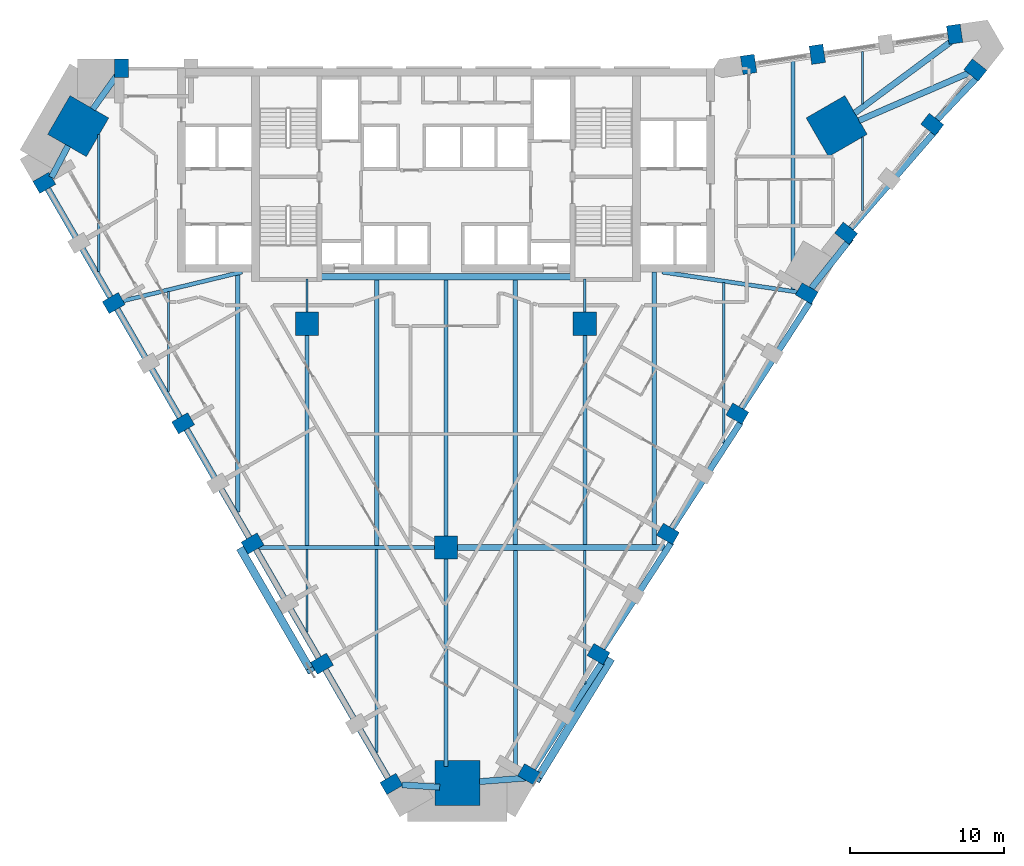
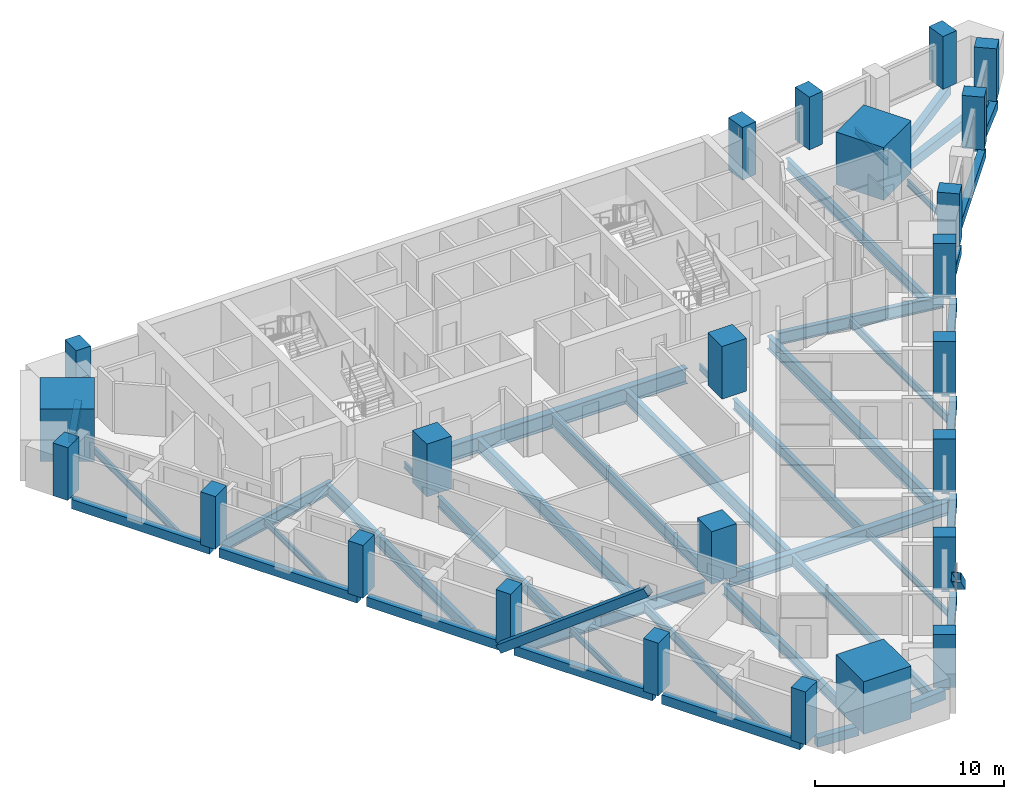
# One storey, part 1 of 11: 43 beams, 24 columns, 2 members.
"""IFC4 building model written with IfcOpenShell, lengths in metres."""

from ifc_helpers import new_model, si_unit, direction, frame, origin, origin_2d, place, context, subcontext, project, spatial, rectangle, hollow_rectangle, i_section, extrude, material, material_profile, profile_set, type_object, element, save


model = new_model("IFC4")

# Units and contexts
model_context = context("Model", 3, precision=1e-05, world=origin(), true_north=direction((0.0, 1.0)))
body_context = subcontext(model_context, "Body", "Model", "MODEL_VIEW")
ifc_project = project(units=[si_unit("LENGTHUNIT", "METRE"), si_unit("AREAUNIT", "SQUARE_METRE"), si_unit("VOLUMEUNIT", "CUBIC_METRE"), si_unit("PLANEANGLEUNIT", "RADIAN"), si_unit("MASSUNIT", "GRAM", prefix="KILO")], contexts=[model_context])

# Site, building, storey
site_placement = place(None, origin())
site = spatial("IfcSite", under=ifc_project, at=site_placement, CompositionType="ELEMENT")
building_placement = place(site_placement, origin())
building = spatial("IfcBuilding", under=site, at=building_placement, Name="Calabash Gate Tower", CompositionType="ELEMENT")
storey_placement = place(building_placement, frame((0.0, 0.0, 112.199951171875)))
storey = spatial("IfcBuildingStorey", under=building, at=storey_placement, Name="L25", CompositionType="ELEMENT", Elevation=112.199951171875)

# Columns
ifc_material_1 = material(Name="Concrete C80/95", Category="concrete")
ifc_material_profile_1 = material_profile(ifc_material_1, rectangle(XDim=1.5, YDim=1.5, at=origin_2d()))
ifc_profile_set_1 = profile_set([ifc_material_profile_1], Name="Concrete C80/95")
column_type_1 = type_object("IfcColumnType", Name="Interior column RC 1500x1500 Concrete C80/95", PredefinedType="COLUMN", material=ifc_profile_set_1)
for number, where, z_axis, x_axis, name in (
    (1, (-9.0, 2.5, 0.0), (0.0, 0.0, 1.0), (1.0, 0.0, 0.0), "Interior column L25 I0"),
    (2, (9.0, 2.5, 0.0), (0.0, 0.0, 1.0), (1.0, 0.0, 0.0), "Interior column L25 I1"),
    (3, (0.0, -12.0, 0.0), (0.0, 0.0, 1.0), (1.0, 0.0, 0.0), "Interior column L25 I2"),
):
    element("IfcColumn", number, at=place(storey_placement, frame(where, z_axis=z_axis, x_axis=x_axis)), inside=storey, type_object=column_type_1, Name=name, PredefinedType="COLUMN", context=body_context, shape_type="SweptSolid", body=[
        extrude(rectangle(XDim=1.5, YDim=1.5, at=origin_2d()), origin(), (0.0, 0.0, 1.0), 3.400146484375),
    ])
ifc_material_2 = material(Name="Concrete C80/95", Category="concrete")
ifc_material_profile_2 = material_profile(ifc_material_2, rectangle(XDim=2.89990234375, YDim=2.89990234375, at=origin_2d()))
ifc_profile_set_2 = profile_set([ifc_material_profile_2], Name="Concrete C80/95")
column_type_2 = type_object("IfcColumnType", Name="Mega column RC 2900x2900 Concrete C80/95", PredefinedType="COLUMN", material=ifc_profile_set_2)
for number, where, z_axis, x_axis, name in (
    (4, (-23.843017578125, 15.31298828125, 0.0), (0.0, 0.0, 1.0), (0.866025377604, -0.500000045345, 0.0), "Mega column L25 NW"),
    (5, (25.3291015625, 15.31298828125, 0.0), (0.0, 0.0, 1.0), (-0.866025377604, -0.500000045345, 0.0), "Mega column L25 NE"),
    (6, (0.742919921875, -27.27197265625, 0.0), (0.0, 0.0, 1.0), (0.0, 1.0, 0.0), "Mega column L25 S"),
):
    element("IfcColumn", number, at=place(storey_placement, frame(where, z_axis=z_axis, x_axis=x_axis)), inside=storey, type_object=column_type_2, Name=name, PredefinedType="COLUMN", context=body_context, shape_type="SweptSolid", body=[
        extrude(rectangle(XDim=2.89990234375, YDim=2.89990234375, at=origin_2d()), origin(), (0.0, 0.0, 1.0), 3.400146484375),
    ])
ifc_material_3 = material(Name="Concrete C70/85", Category="concrete")
ifc_material_profile_3 = material_profile(ifc_material_3, rectangle(XDim=0.89990234375, YDim=1.199951171875, at=origin_2d()))
ifc_profile_set_3 = profile_set([ifc_material_profile_3], Name="Concrete C70/85")
column_type_3 = type_object("IfcColumnType", Name="Perimeter column RC 900x1200 Concrete C70/85", PredefinedType="COLUMN", material=ifc_profile_set_3)
for number, where, z_axis, x_axis, name in (
    (7, (-26.0390625, 11.635986328125, 0.0), (0.0, 0.0, 1.0), (0.5, -0.866025403784, 0.0), "Perimeter column L25 P20"),
    (8, (-21.5390625, 3.842041015625, 0.0), (0.0, 0.0, 1.0), (0.5, -0.866025403784, 0.0), "Perimeter column L25 P00"),
    (9, (-17.0390625, -3.951904296875, 0.0), (0.0, 0.0, 1.0), (0.5, -0.866025403784, 0.0), "Perimeter column L25 P01"),
    (10, (-12.5390625, -11.7470703125, 0.0), (0.0, 0.0, 1.0), (0.5, -0.866025403784, 0.0), "Perimeter column L25 P02"),
    (11, (-8.0390625, -19.541015625, 0.0), (0.0, 0.0, 1.0), (0.5, -0.866025403784, 0.0), "Perimeter column L25 P03"),
    (12, (-3.5390625, -27.3330078125, 0.0), (0.0, 0.0, 1.0), (0.5, -0.866025403784, 0.0), "Perimeter column L25 P05"),
    (13, (5.386962890625, -26.7080078125, 0.0), (0.0, 0.0, 1.0), (0.5, 0.866025403784, 0.0), "Perimeter column L25 P08"),
    (14, (9.886962890625, -18.9140625, 0.0), (0.0, 0.0, 1.0), (0.5, 0.866025403784, 0.0), "Perimeter column L25 P09"),
    (15, (14.386962890625, -11.118896484375, 0.0), (0.0, 0.0, 1.0), (0.5, 0.866025403784, 0.0), "Perimeter column L25 P10"),
    (16, (18.886962890625, -3.322998046875, 0.0), (0.0, 0.0, 1.0), (0.5, 0.866025403784, 0.0), "Perimeter column L25 P11"),
    (17, (23.386962890625, 4.468994140625, 0.0), (0.0, 0.0, 1.0), (0.5, 0.866025403784, 0.0), "Perimeter column L25 P12"),
    (18, (25.943115234375, 8.366943359375, 0.0), (0.0, 0.0, 1.0), (0.620301172202, 0.784363726701, 0.0), "Perimeter column L25 P13"),
    (19, (31.52587890625, 15.424072265625, 0.0), (0.0, 0.0, 1.0), (0.620301172202, 0.784363726701, 0.0), "Perimeter column L25 P21"),
    (20, (34.31689453125, 18.9541015625, 0.0), (0.0, 0.0, 1.0), (0.620301172202, 0.784363726701, 0.0), "Perimeter column L25 P22"),
    (21, (32.97607421875, 21.27587890625, 0.0), (0.0, 0.0, 1.0), (-0.989429504293, -0.145014675236, 0.0), "Perimeter column L25 P23"),
    (22, (24.072021484375, 19.970947265625, 0.0), (0.0, 0.0, 1.0), (-0.989429504293, -0.145014675236, 0.0), "Perimeter column L25 P16"),
    (23, (19.618896484375, 19.318115234375, 0.0), (0.0, 0.0, 1.0), (-0.989429504293, -0.145014675236, 0.0), "Perimeter column L25 P24"),
    (24, (-21.032958984375, 19.052978515625, 0.0), (0.0, 0.0, 1.0), (-1.0, 0.0, 0.0), "Perimeter column L25 P17"),
):
    element("IfcColumn", number, at=place(storey_placement, frame(where, z_axis=z_axis, x_axis=x_axis)), inside=storey, type_object=column_type_3, Name=name, PredefinedType="COLUMN", context=body_context, shape_type="SweptSolid", body=[
        extrude(rectangle(XDim=0.89990234375, YDim=1.199951171875, at=origin_2d()), origin(), (0.0, 0.0, 1.0), 3.400146484375),
    ])

# Beams
ifc_material_4 = material(Name="Concrete C60/75", Category="concrete")
ifc_material_profile_4 = material_profile(ifc_material_4, rectangle(XDim=0.39990234375, YDim=0.60009765625, at=origin_2d()))
ifc_profile_set_4 = profile_set([ifc_material_profile_4], Name="Concrete C60/75")
beam_type_1 = type_object("IfcBeamType", Name="Edge beam RC 400x600 Concrete C60/75", PredefinedType="BEAM", material=ifc_profile_set_4)
for number, where, z_axis, x_axis, name in (
    (25, (-16.821044921875, -4.330078125, -0.469970703125), (0.500025102917, -0.866010910123, 0.0), (0.866010910123, 0.500025102917, 0.0), "Edge beam L25 1"),
    (26, (-12.321044921875, -12.1240234375, -0.469970703125), (0.500025102917, -0.866010910123, 0.0), (0.866010910123, 0.500025102917, 0.0), "Edge beam L25 2"),
):
    element("IfcBeam", number, at=place(storey_placement, frame(where, z_axis=z_axis, x_axis=x_axis)), inside=storey, type_object=beam_type_1, Name=name, PredefinedType="BEAM", context=body_context, shape_type="SweptSolid", body=[
        extrude(rectangle(XDim=0.39990234375, YDim=0.60009765625, at=origin_2d()), origin(), (0.0, 0.0, 1.0), 8.42578125),
    ])
beam_1_placement = place(storey_placement, frame((-7.821044921875, -19.9189453125, -0.469970703125), z_axis=(0.500012556128, -0.866018154379, 0.0), x_axis=(0.866018154379, 0.500012556128, 0.0)))
element("IfcBeam", 27, at=beam_1_placement, inside=storey, type_object=beam_type_1, Name="Edge beam L25 3", PredefinedType="BEAM", context=body_context, shape_type="SweptSolid", body=[
    extrude(rectangle(XDim=0.39990234375, YDim=0.60009765625, at=origin_2d()), origin(), (0.0, 0.0, 1.0), 8.426025390625),
])
beam_2_placement = place(storey_placement, frame((-2.843017578125, -27.39111328125, -0.469970703125), z_axis=(0.998064232576, -0.062191540038, 0.0), x_axis=(0.062191540038, 0.998064232576, 0.0)))
element("IfcBeam", 28, at=beam_2_placement, inside=storey, type_object=beam_type_1, Name="Edge beam L25 4", PredefinedType="BEAM", context=body_context, shape_type="SweptSolid", body=[
    extrude(rectangle(XDim=0.39990234375, YDim=0.60009765625, at=origin_2d()), origin(), (0.0, 0.0, 1.0), 2.441650390625),
])
beam_3_placement = place(storey_placement, frame((2.177001953125, -27.181884765625, -0.469970703125), z_axis=(0.997030596331, 0.077006428172, 0.0), x_axis=(-0.077006428172, 0.997030596331, 0.0)))
element("IfcBeam", 29, at=beam_3_placement, inside=storey, type_object=beam_type_1, Name="Edge beam L25 5", PredefinedType="BEAM", context=body_context, shape_type="SweptSolid", body=[
    extrude(rectangle(XDim=0.39990234375, YDim=0.60009765625, at=origin_2d()), origin(), (0.0, 0.0, 1.0), 3.011962890625),
])
for number, where, z_axis, x_axis, name in (
    (30, (5.64697265625, -26.35595703125, -0.469970703125), (0.543627394435, 0.839326668241, 0.0), (-0.839326668241, 0.543627394435, 0.0), "Edge beam L25 6"),
    (31, (10.14697265625, -18.56201171875, -0.469970703125), (0.543627394435, 0.839326668241, 0.0), (-0.839326668241, 0.543627394435, 0.0), "Edge beam L25 7"),
):
    element("IfcBeam", number, at=place(storey_placement, frame(where, z_axis=z_axis, x_axis=x_axis)), inside=storey, type_object=beam_type_1, Name=name, PredefinedType="BEAM", context=body_context, shape_type="SweptSolid", body=[
        extrude(rectangle(XDim=0.39990234375, YDim=0.60009765625, at=origin_2d()), origin(), (0.0, 0.0, 1.0), 8.207763671875),
    ])
for number, where, z_axis, x_axis, name in (
    (32, (14.64697265625, -10.76806640625, -0.469970703125), (0.543559539771, 0.83937061345, 0.0), (-0.83937061345, 0.543559539771, 0.0), "Edge beam L25 8"),
    (33, (19.14697265625, -2.97412109375, -0.469970703125), (0.543559539771, 0.83937061345, 0.0), (-0.83937061345, 0.543559539771, 0.0), "Edge beam L25 9"),
):
    element("IfcBeam", number, at=place(storey_placement, frame(where, z_axis=z_axis, x_axis=x_axis)), inside=storey, type_object=beam_type_1, Name=name, PredefinedType="BEAM", context=body_context, shape_type="SweptSolid", body=[
        extrude(rectangle(XDim=0.39990234375, YDim=0.60009765625, at=origin_2d()), origin(), (0.0, 0.0, 1.0), 8.208740234375),
    ])
beam_4_placement = place(storey_placement, frame((23.681884765625, 4.800048828125, -0.469970703125), z_axis=(0.621757740303, 0.783209622242, 0.0), x_axis=(-0.783209622242, 0.621757740303, 0.0)))
element("IfcBeam", 34, at=beam_4_placement, inside=storey, type_object=beam_type_1, Name="Edge beam L25 10", PredefinedType="BEAM", context=body_context, shape_type="SweptSolid", body=[
    extrude(rectangle(XDim=0.39990234375, YDim=0.60009765625, at=origin_2d()), origin(), (0.0, 0.0, 1.0), 4.141845703125),
])
beam_5_placement = place(storey_placement, frame((26.237060546875, 8.66796875, -0.469970703125), z_axis=(0.654894622811, 0.755720208155, 0.0), x_axis=(-0.755720208155, 0.654894622811, 0.0)))
element("IfcBeam", 35, at=beam_5_placement, inside=storey, type_object=beam_type_1, Name="Edge beam L25 11", PredefinedType="BEAM", context=body_context, shape_type="SweptSolid", body=[
    extrude(rectangle(XDim=0.39990234375, YDim=0.60009765625, at=origin_2d()), origin(), (0.0, 0.0, 1.0), 8.540283203125),
])
beam_6_placement = place(storey_placement, frame((31.839111328125, 15.72412109375, -0.469970703125), z_axis=(0.685941332038, 0.727656848385, 0.0), x_axis=(-0.727656848385, 0.685941332038, 0.0)))
element("IfcBeam", 36, at=beam_6_placement, inside=storey, type_object=beam_type_1, Name="Edge beam L25 12", PredefinedType="BEAM", context=body_context, shape_type="SweptSolid", body=[
    extrude(rectangle(XDim=0.39990234375, YDim=0.60009765625, at=origin_2d()), origin(), (0.0, 0.0, 1.0), 4.026611328125),
])
beam_7_placement = place(storey_placement, frame((34.27392578125, 18.922119140625, -0.469970703125), z_axis=(-0.917731210619, -0.397201995282, 0.0), x_axis=(0.397201995282, -0.917731210619, 0.0)))
element("IfcBeam", 37, at=beam_7_placement, inside=storey, type_object=beam_type_1, Name="Edge beam L25 13", PredefinedType="BEAM", context=body_context, shape_type="SweptSolid", body=[
    extrude(rectangle(XDim=0.39990234375, YDim=0.60009765625, at=origin_2d()), origin(), (0.0, 0.0, 1.0), 8.1796875),
])
beam_8_placement = place(storey_placement, frame((26.489990234375, 16.153076171875, -0.469970703125), z_axis=(0.803084890755, 0.595864630802, 0.0), x_axis=(-0.595864630802, 0.803084890755, 0.0)))
element("IfcBeam", 38, at=beam_8_placement, inside=storey, type_object=beam_type_1, Name="Edge beam L25 14", PredefinedType="BEAM", context=body_context, shape_type="SweptSolid", body=[
    extrude(rectangle(XDim=0.39990234375, YDim=0.60009765625, at=origin_2d()), origin(), (0.0, 0.0, 1.0), 8.319091796875),
])
beam_9_placement = place(storey_placement, frame((-21.10302734375, 18.926025390625, -0.469970703125), z_axis=(-0.581312904664, -0.813680101066, 0.0), x_axis=(0.813680101066, -0.581312904664, 0.0)))
element("IfcBeam", 39, at=beam_9_placement, inside=storey, type_object=beam_type_1, Name="Edge beam L25 17", PredefinedType="BEAM", context=body_context, shape_type="SweptSolid", body=[
    extrude(rectangle(XDim=0.39990234375, YDim=0.60009765625, at=origin_2d()), origin(), (0.0, 0.0, 1.0), 3.091064453125),
])
beam_10_placement = place(storey_placement, frame((-24.5029296875, 14.0400390625, -0.469970703125), z_axis=(-0.465789865333, -0.88489536181, 0.0), x_axis=(0.88489536181, -0.465789865333, 0.0)))
element("IfcBeam", 40, at=beam_10_placement, inside=storey, type_object=beam_type_1, Name="Edge beam L25 18", PredefinedType="BEAM", context=body_context, shape_type="SweptSolid", body=[
    extrude(rectangle(XDim=0.39990234375, YDim=0.60009765625, at=origin_2d()), origin(), (0.0, 0.0, 1.0), 2.316650390625),
])
for number, where, z_axis, x_axis, name in (
    (41, (-25.821044921875, 11.258056640625, -0.469970703125), (0.500012556128, -0.866018154379, 0.0), (0.866018154379, 0.500012556128, 0.0), "Edge beam L25 19"),
    (42, (-21.321044921875, 3.464111328125, -0.469970703125), (0.500012556128, -0.866018154379, 0.0), (0.866018154379, 0.500012556128, 0.0), "Edge beam L25 20"),
):
    element("IfcBeam", number, at=place(storey_placement, frame(where, z_axis=z_axis, x_axis=x_axis)), inside=storey, type_object=beam_type_1, Name=name, PredefinedType="BEAM", context=body_context, shape_type="SweptSolid", body=[
        extrude(rectangle(XDim=0.39990234375, YDim=0.60009765625, at=origin_2d()), origin(), (0.0, 0.0, 1.0), 8.426025390625),
    ])
ifc_material_5 = material(Name="Steel ASTM A992 Gr50", Category="steel")
ifc_material_profile_5 = material_profile(ifc_material_5, i_section(OverallWidth=0.1396484375, OverallDepth=0.398681640625, WebThickness=0.00634765625, FlangeThickness=0.0087890625, FilletRadius=0.01025390625, at=origin_2d()))
ifc_profile_set_5 = profile_set([ifc_material_profile_5], Name="Steel ASTM A992 Gr50")
beam_type_2 = type_object("IfcBeamType", Name="Floor beam W16x26 ASTM A992 Gr50", PredefinedType="BEAM", material=ifc_profile_set_5)
beam_11_placement = place(storey_placement, frame((-18.0, -1.89990234375, -0.368896484375), z_axis=(0.0, 1.0, 0.0), x_axis=(-1.0, 0.0, 0.0)))
element("IfcBeam", 43, at=beam_11_placement, inside=storey, type_object=beam_type_2, Name="Floor beam L25 2", PredefinedType="BEAM", context=body_context, shape_type="SweptSolid", body=[
    extrude(i_section(OverallWidth=0.1396484375, OverallDepth=0.398681640625, WebThickness=0.00634765625, FlangeThickness=0.0087890625, FilletRadius=0.01025390625, at=origin_2d()), origin(), (0.0, 0.0, 1.0), 6.48388671875),
])
beam_12_placement = place(storey_placement, frame((-9.0, -17.488037109375, -0.368896484375), z_axis=(0.0, 1.0, 0.0), x_axis=(-1.0, 0.0, 0.0)))
element("IfcBeam", 44, at=beam_12_placement, inside=storey, type_object=beam_type_2, Name="Floor beam L25 4", PredefinedType="BEAM", context=body_context, shape_type="SweptSolid", body=[
    extrude(i_section(OverallWidth=0.1396484375, OverallDepth=0.398681640625, WebThickness=0.00634765625, FlangeThickness=0.0087890625, FilletRadius=0.01025390625, at=origin_2d()), origin(), (0.0, 0.0, 1.0), 5.35498046875),
])
beam_13_placement = place(storey_placement, frame((-9.0, 3.25, -0.368896484375), z_axis=(0.0, 1.0, 0.0), x_axis=(-1.0, 0.0, 0.0)))
element("IfcBeam", 45, at=beam_13_placement, inside=storey, type_object=beam_type_2, Name="Floor beam L25 6", PredefinedType="BEAM", context=body_context, shape_type="SweptSolid", body=[
    extrude(i_section(OverallWidth=0.1396484375, OverallDepth=0.398681640625, WebThickness=0.00634765625, FlangeThickness=0.0087890625, FilletRadius=0.01025390625, at=origin_2d()), origin(), (0.0, 0.0, 1.0), 2.153076171875),
])
beam_14_placement = place(storey_placement, frame((9.0, -20.842041015625, -0.368896484375), z_axis=(0.0, 1.0, 0.0), x_axis=(-1.0, 0.0, 0.0)))
element("IfcBeam", 46, at=beam_14_placement, inside=storey, type_object=beam_type_2, Name="Floor beam L25 13", PredefinedType="BEAM", context=body_context, shape_type="SweptSolid", body=[
    extrude(i_section(OverallWidth=0.1396484375, OverallDepth=0.398681640625, WebThickness=0.00634765625, FlangeThickness=0.0087890625, FilletRadius=0.01025390625, at=origin_2d()), origin(), (0.0, 0.0, 1.0), 8.64306640625),
])
beam_15_placement = place(storey_placement, frame((9.0, 3.25, -0.368896484375), z_axis=(0.0, 1.0, 0.0), x_axis=(-1.0, 0.0, 0.0)))
element("IfcBeam", 47, at=beam_15_placement, inside=storey, type_object=beam_type_2, Name="Floor beam L25 15", PredefinedType="BEAM", context=body_context, shape_type="SweptSolid", body=[
    extrude(i_section(OverallWidth=0.1396484375, OverallDepth=0.398681640625, WebThickness=0.00634765625, FlangeThickness=0.0087890625, FilletRadius=0.01025390625, at=origin_2d()), origin(), (0.0, 0.0, 1.0), 2.153076171875),
])
beam_16_placement = place(storey_placement, frame((27.0, 9.833984375, -0.368896484375), z_axis=(0.0, 1.0, 0.0), x_axis=(-1.0, 0.0, 0.0)))
element("IfcBeam", 48, at=beam_16_placement, inside=storey, type_object=beam_type_2, Name="Floor beam L25 19", PredefinedType="BEAM", context=body_context, shape_type="SweptSolid", body=[
    extrude(i_section(OverallWidth=0.1396484375, OverallDepth=0.398681640625, WebThickness=0.00634765625, FlangeThickness=0.0087890625, FilletRadius=0.01025390625, at=origin_2d()), origin(), (0.0, 0.0, 1.0), 4.7880859375),
])
beam_17_placement = place(storey_placement, frame((27.0, 16.748046875, -0.368896484375), z_axis=(0.0, 1.0, 0.0), x_axis=(-1.0, 0.0, 0.0)))
element("IfcBeam", 49, at=beam_17_placement, inside=storey, type_object=beam_type_2, Name="Floor beam L25 20", PredefinedType="BEAM", context=body_context, shape_type="SweptSolid", body=[
    extrude(i_section(OverallWidth=0.1396484375, OverallDepth=0.398681640625, WebThickness=0.00634765625, FlangeThickness=0.0087890625, FilletRadius=0.01025390625, at=origin_2d()), origin(), (0.0, 0.0, 1.0), 3.419921875),
])
ifc_material_6 = material(Name="Steel ASTM A992 Gr50", Category="steel")
ifc_material_profile_6 = material_profile(ifc_material_6, i_section(OverallWidth=0.15234375, OverallDepth=0.44970703125, WebThickness=0.007568359375, FlangeThickness=0.0107421875, FilletRadius=0.01025390625, at=origin_2d()))
ifc_profile_set_6 = profile_set([ifc_material_profile_6], Name="Steel ASTM A992 Gr50")
beam_type_3 = type_object("IfcBeamType", Name="Floor beam W18x35 ASTM A992 Gr50", PredefinedType="BEAM", material=ifc_profile_set_6)
beam_18_placement = place(storey_placement, frame((-22.5, 5.89404296875, -0.39306640625), z_axis=(0.0, 1.0, 0.0), x_axis=(-1.0, 0.0, 0.0)))
element("IfcBeam", 50, at=beam_18_placement, inside=storey, type_object=beam_type_3, Name="Floor beam L25 1", PredefinedType="BEAM", context=body_context, shape_type="SweptSolid", body=[
    extrude(i_section(OverallWidth=0.15234375, OverallDepth=0.44970703125, WebThickness=0.007568359375, FlangeThickness=0.0107421875, FilletRadius=0.01025390625, at=origin_2d()), origin(), (0.0, 0.0, 1.0), 8.873046875),
])
ifc_material_7 = material(Name="Steel ASTM A992 Gr50", Category="steel")
ifc_material_profile_7 = material_profile(ifc_material_7, i_section(OverallWidth=0.166015625, OverallDepth=0.5283203125, WebThickness=0.009765625, FlangeThickness=0.013671875, FilletRadius=0.0126953125, at=origin_2d()))
ifc_profile_set_7 = profile_set([ifc_material_profile_7], Name="Steel ASTM A992 Gr50")
beam_type_4 = type_object("IfcBeamType", Name="Floor beam W21x50 ASTM A992 Gr50", PredefinedType="BEAM", material=ifc_profile_set_7)
beam_19_placement = place(storey_placement, frame((18.0, -5.2529296875, -0.433837890625), z_axis=(0.0, 1.0, 0.0), x_axis=(-1.0, 0.0, 0.0)))
element("IfcBeam", 51, at=beam_19_placement, inside=storey, type_object=beam_type_4, Name="Floor beam L25 17", PredefinedType="BEAM", context=body_context, shape_type="SweptSolid", body=[
    extrude(i_section(OverallWidth=0.166015625, OverallDepth=0.5283203125, WebThickness=0.009765625, FlangeThickness=0.013671875, FilletRadius=0.0126953125, at=origin_2d()), origin(), (0.0, 0.0, 1.0), 10.416015625),
])
ifc_material_8 = material(Name="Steel ASTM A992 Gr50", Category="steel")
ifc_material_profile_8 = material_profile(ifc_material_8, i_section(OverallWidth=0.1787109375, OverallDepth=0.60205078125, WebThickness=0.010986328125, FlangeThickness=0.014892578125, FilletRadius=0.0126953125, at=origin_2d()))
ifc_profile_set_8 = profile_set([ifc_material_profile_8], Name="Steel ASTM A992 Gr50")
beam_type_5 = type_object("IfcBeamType", Name="Floor beam W24x62 ASTM A992 Gr50", PredefinedType="BEAM", material=ifc_profile_set_8)
beam_20_placement = place(storey_placement, frame((-4.5, -25.282958984375, -0.470947265625), z_axis=(0.0, 1.0, 0.0), x_axis=(-1.0, 0.0, 0.0)))
element("IfcBeam", 52, at=beam_20_placement, inside=storey, type_object=beam_type_5, Name="Floor beam L25 7", PredefinedType="BEAM", context=body_context, shape_type="SweptSolid", body=[
    extrude(i_section(OverallWidth=0.1787109375, OverallDepth=0.60205078125, WebThickness=0.010986328125, FlangeThickness=0.014892578125, FilletRadius=0.0126953125, at=origin_2d()), origin(), (0.0, 0.0, 1.0), 13.14990234375),
])
ifc_material_9 = material(Name="Steel ASTM A992 Gr50", Category="steel")
ifc_material_profile_9 = material_profile(ifc_material_9, i_section(OverallWidth=0.25390625, OverallDepth=0.67822265625, WebThickness=0.01171875, FlangeThickness=0.016357421875, FilletRadius=0.01513671875, at=origin_2d()))
ifc_profile_set_9 = profile_set([ifc_material_profile_9], Name="Steel ASTM A992 Gr50")
beam_type_6 = type_object("IfcBeamType", Name="Floor beam W27x84 ASTM A992 Gr50", PredefinedType="BEAM", material=ifc_profile_set_9)
beam_21_placement = place(storey_placement, frame((-9.0, -11.866943359375, -0.509033203125), z_axis=(0.0, 1.0, 0.0), x_axis=(-1.0, 0.0, 0.0)))
element("IfcBeam", 53, at=beam_21_placement, inside=storey, type_object=beam_type_6, Name="Floor beam L25 5", PredefinedType="BEAM", context=body_context, shape_type="SweptSolid", body=[
    extrude(i_section(OverallWidth=0.25390625, OverallDepth=0.67822265625, WebThickness=0.01171875, FlangeThickness=0.016357421875, FilletRadius=0.01513671875, at=origin_2d()), origin(), (0.0, 0.0, 1.0), 13.616943359375),
])
beam_22_placement = place(storey_placement, frame((0.0, -26.194091796875, -0.509033203125), z_axis=(0.0, 1.0, 0.0), x_axis=(-1.0, 0.0, 0.0)))
element("IfcBeam", 54, at=beam_22_placement, inside=storey, type_object=beam_type_6, Name="Floor beam L25 9", PredefinedType="BEAM", context=body_context, shape_type="SweptSolid", body=[
    extrude(i_section(OverallWidth=0.25390625, OverallDepth=0.67822265625, WebThickness=0.01171875, FlangeThickness=0.016357421875, FilletRadius=0.01513671875, at=origin_2d()), origin(), (0.0, 0.0, 1.0), 13.444091796875),
])
beam_23_placement = place(storey_placement, frame((4.5, -26.823974609375, -0.509033203125), z_axis=(0.0, 1.0, 0.0), x_axis=(-1.0, 0.0, 0.0)))
element("IfcBeam", 55, at=beam_23_placement, inside=storey, type_object=beam_type_6, Name="Floor beam L25 11", PredefinedType="BEAM", context=body_context, shape_type="SweptSolid", body=[
    extrude(i_section(OverallWidth=0.25390625, OverallDepth=0.67822265625, WebThickness=0.01171875, FlangeThickness=0.016357421875, FilletRadius=0.01513671875, at=origin_2d()), origin(), (0.0, 0.0, 1.0), 14.625),
])
beam_24_placement = place(storey_placement, frame((9.0, -11.801025390625, -0.509033203125), z_axis=(0.0, 1.0, 0.0), x_axis=(-1.0, 0.0, 0.0)))
element("IfcBeam", 56, at=beam_24_placement, inside=storey, type_object=beam_type_6, Name="Floor beam L25 14", PredefinedType="BEAM", context=body_context, shape_type="SweptSolid", body=[
    extrude(i_section(OverallWidth=0.25390625, OverallDepth=0.67822265625, WebThickness=0.01171875, FlangeThickness=0.016357421875, FilletRadius=0.01513671875, at=origin_2d()), origin(), (0.0, 0.0, 1.0), 13.551025390625),
])
beam_25_placement = place(storey_placement, frame((22.5, 4.722900390625, -0.509033203125), z_axis=(0.0, 1.0, 0.0), x_axis=(-1.0, 0.0, 0.0)))
element("IfcBeam", 57, at=beam_25_placement, inside=storey, type_object=beam_type_6, Name="Floor beam L25 18", PredefinedType="BEAM", context=body_context, shape_type="SweptSolid", body=[
    extrude(i_section(OverallWidth=0.25390625, OverallDepth=0.67822265625, WebThickness=0.01171875, FlangeThickness=0.016357421875, FilletRadius=0.01513671875, at=origin_2d()), origin(), (0.0, 0.0, 1.0), 14.80517578125),
])
ifc_material_10 = material(Name="Steel ASTM A992 Gr50", Category="steel")
ifc_material_profile_10 = material_profile(ifc_material_10, i_section(OverallWidth=0.2666015625, OverallDepth=0.7568359375, WebThickness=0.013916015625, FlangeThickness=0.019287109375, FilletRadius=0.0166015625, at=origin_2d()))
ifc_profile_set_10 = profile_set([ifc_material_profile_10], Name="Steel ASTM A992 Gr50")
beam_type_7 = type_object("IfcBeamType", Name="Floor beam W30x108 ASTM A992 Gr50", PredefinedType="BEAM", material=ifc_profile_set_10)
beam_26_placement = place(storey_placement, frame((-13.5, -9.694091796875, -0.5478515625), z_axis=(0.0, 1.0, 0.0), x_axis=(-1.0, 0.0, 0.0)))
element("IfcBeam", 58, at=beam_26_placement, inside=storey, type_object=beam_type_7, Name="Floor beam L25 3", PredefinedType="BEAM", context=body_context, shape_type="SweptSolid", body=[
    extrude(i_section(OverallWidth=0.2666015625, OverallDepth=0.7568359375, WebThickness=0.013916015625, FlangeThickness=0.019287109375, FilletRadius=0.0166015625, at=origin_2d()), origin(), (0.0, 0.0, 1.0), 15.3681640625),
])
beam_27_placement = place(storey_placement, frame((0.0, -11.25, -0.5478515625), z_axis=(0.0, 1.0, 0.0), x_axis=(-1.0, 0.0, 0.0)))
element("IfcBeam", 59, at=beam_27_placement, inside=storey, type_object=beam_type_7, Name="Floor beam L25 10", PredefinedType="BEAM", context=body_context, shape_type="SweptSolid", body=[
    extrude(i_section(OverallWidth=0.2666015625, OverallDepth=0.7568359375, WebThickness=0.013916015625, FlangeThickness=0.019287109375, FilletRadius=0.0166015625, at=origin_2d()), origin(), (0.0, 0.0, 1.0), 16.60205078125),
])
ifc_material_11 = material(Name="Steel ASTM A992 Gr50", Category="steel")
ifc_material_profile_11 = material_profile(ifc_material_11, i_section(OverallWidth=0.2919921875, OverallDepth=0.845703125, WebThickness=0.015380859375, FlangeThickness=0.0244140625, FilletRadius=0.017822265625, at=origin_2d()))
ifc_profile_set_11 = profile_set([ifc_material_profile_11], Name="Steel ASTM A992 Gr50")
beam_type_8 = type_object("IfcBeamType", Name="Floor beam W33x141 ASTM A992 Gr50", PredefinedType="BEAM", material=ifc_profile_set_11)
beam_28_placement = place(storey_placement, frame((-4.5, -11.866943359375, -0.593017578125), z_axis=(0.0, 1.0, 0.0), x_axis=(-1.0, 0.0, 0.0)))
element("IfcBeam", 60, at=beam_28_placement, inside=storey, type_object=beam_type_8, Name="Floor beam L25 8", PredefinedType="BEAM", context=body_context, shape_type="SweptSolid", body=[
    extrude(i_section(OverallWidth=0.2919921875, OverallDepth=0.845703125, WebThickness=0.015380859375, FlangeThickness=0.0244140625, FilletRadius=0.017822265625, at=origin_2d()), origin(), (0.0, 0.0, 1.0), 17.218994140625),
])
beam_29_placement = place(storey_placement, frame((4.5, -11.801025390625, -0.593017578125), z_axis=(0.0, 1.0, 0.0), x_axis=(-1.0, 0.0, 0.0)))
element("IfcBeam", 61, at=beam_29_placement, inside=storey, type_object=beam_type_8, Name="Floor beam L25 12", PredefinedType="BEAM", context=body_context, shape_type="SweptSolid", body=[
    extrude(i_section(OverallWidth=0.2919921875, OverallDepth=0.845703125, WebThickness=0.015380859375, FlangeThickness=0.0244140625, FilletRadius=0.017822265625, at=origin_2d()), origin(), (0.0, 0.0, 1.0), 17.153076171875),
])
beam_30_placement = place(storey_placement, frame((13.5, -11.801025390625, -0.593017578125), z_axis=(0.0, 1.0, 0.0), x_axis=(-1.0, 0.0, 0.0)))
element("IfcBeam", 62, at=beam_30_placement, inside=storey, type_object=beam_type_8, Name="Floor beam L25 16", PredefinedType="BEAM", context=body_context, shape_type="SweptSolid", body=[
    extrude(i_section(OverallWidth=0.2919921875, OverallDepth=0.845703125, WebThickness=0.015380859375, FlangeThickness=0.0244140625, FilletRadius=0.017822265625, at=origin_2d()), origin(), (0.0, 0.0, 1.0), 17.654052734375),
])
ifc_material_12 = material(Name="Steel ASTM A992 Gr50", Category="steel")
ifc_material_profile_12 = material_profile(ifc_material_12, i_section(OverallWidth=0.2666015625, OverallDepth=0.77978515625, WebThickness=0.0166015625, FlangeThickness=0.030029296875, FilletRadius=0.0166015625, at=origin_2d()))
ifc_profile_set_12 = profile_set([ifc_material_profile_12], Name="Steel ASTM A992 Gr50")
beam_type_9 = type_object("IfcBeamType", Name="Girder W30x148 ASTM A992 Gr50", PredefinedType="BEAM", material=ifc_profile_set_12)
beam_31_placement = place(storey_placement, frame((-20.9619140625, 3.98193359375, -0.56005859375), z_axis=(0.971895153152, 0.235414127189, 0.0), x_axis=(-0.235414127189, 0.971895153152, 0.0)))
element("IfcBeam", 63, at=beam_31_placement, inside=storey, type_object=beam_type_9, Name="Girder L25 2", PredefinedType="BEAM", context=body_context, shape_type="SweptSolid", body=[
    extrude(i_section(OverallWidth=0.2666015625, OverallDepth=0.77978515625, WebThickness=0.0166015625, FlangeThickness=0.030029296875, FilletRadius=0.0166015625, at=origin_2d()), origin(), (0.0, 0.0, 1.0), 7.96875),
])
beam_32_placement = place(storey_placement, frame((23.323974609375, 4.47802734375, -0.56005859375), z_axis=(-0.989239618769, 0.146304397262, 0.0), x_axis=(-0.146304397262, -0.989239618769, 0.0)))
element("IfcBeam", 64, at=beam_32_placement, inside=storey, type_object=beam_type_9, Name="Girder L25 3", PredefinedType="BEAM", context=body_context, shape_type="SweptSolid", body=[
    extrude(i_section(OverallWidth=0.2666015625, OverallDepth=0.77978515625, WebThickness=0.0166015625, FlangeThickness=0.030029296875, FilletRadius=0.0166015625, at=origin_2d()), origin(), (0.0, 0.0, 1.0), 9.418212890625),
])
beam_33_placement = place(storey_placement, frame((-12.10205078125, -12.0, -0.56005859375), z_axis=(1.0, 0.0, 0.0), x_axis=(0.0, 1.0, 0.0)))
element("IfcBeam", 65, at=beam_33_placement, inside=storey, type_object=beam_type_9, Name="Girder L25 4", PredefinedType="BEAM", context=body_context, shape_type="SweptSolid", body=[
    extrude(i_section(OverallWidth=0.2666015625, OverallDepth=0.77978515625, WebThickness=0.0166015625, FlangeThickness=0.030029296875, FilletRadius=0.0166015625, at=origin_2d()), origin(), (0.0, 0.0, 1.0), 11.35205078125),
])
ifc_material_13 = material(Name="Steel ASTM A992 Gr50", Category="steel")
ifc_material_profile_13 = material_profile(ifc_material_13, i_section(OverallWidth=0.398681640625, OverallDepth=0.85595703125, WebThickness=0.018310546875, FlangeThickness=0.029296875, FilletRadius=0.02001953125, at=origin_2d()))
ifc_profile_set_13 = profile_set([ifc_material_profile_13], Name="Steel ASTM A992 Gr50")
beam_type_10 = type_object("IfcBeamType", Name="Girder W33x201 ASTM A992 Gr50", PredefinedType="BEAM", material=ifc_profile_set_13)
beam_34_placement = place(storey_placement, frame((0.75, -12.0, -0.597900390625), z_axis=(1.0, 0.0, 0.0), x_axis=(0.0, 1.0, 0.0)))
element("IfcBeam", 66, at=beam_34_placement, inside=storey, type_object=beam_type_10, Name="Girder L25 5", PredefinedType="BEAM", context=body_context, shape_type="SweptSolid", body=[
    extrude(i_section(OverallWidth=0.398681640625, OverallDepth=0.85595703125, WebThickness=0.018310546875, FlangeThickness=0.029296875, FilletRadius=0.02001953125, at=origin_2d()), origin(), (0.0, 0.0, 1.0), 13.43896484375),
])
ifc_material_14 = material(Name="Steel ASTM A992 Gr50", Category="steel")
ifc_material_profile_14 = material_profile(ifc_material_14, i_section(OverallWidth=0.4013671875, OverallDepth=1.000732421875, WebThickness=0.01904296875, FlangeThickness=0.0361328125, FilletRadius=0.030029296875, at=origin_2d()))
ifc_profile_set_14 = profile_set([ifc_material_profile_14], Name="Steel ASTM A992 Gr50")
beam_type_11 = type_object("IfcBeamType", Name="Girder W40x249 ASTM A992 Gr50", PredefinedType="BEAM", material=ifc_profile_set_14)
beam_35_placement = place(storey_placement, frame((-8.25, 5.552978515625, -0.669921875), z_axis=(1.0, 0.0, 0.0), x_axis=(0.0, 1.0, 0.0)))
element("IfcBeam", 67, at=beam_35_placement, inside=storey, type_object=beam_type_11, Name="Girder L25 1", PredefinedType="BEAM", context=body_context, shape_type="SweptSolid", body=[
    extrude(i_section(OverallWidth=0.4013671875, OverallDepth=1.000732421875, WebThickness=0.01904296875, FlangeThickness=0.0361328125, FilletRadius=0.030029296875, at=origin_2d()), origin(), (0.0, 0.0, 1.0), 16.5),
])

# Members
ifc_material_15 = material(Name="Steel ASTM A500 Gr C", Category="steel")
ifc_material_profile_15 = material_profile(ifc_material_15, hollow_rectangle(XDim=0.508056640625, YDim=0.508056640625, WallThickness=0.01904296875, at=origin_2d()))
ifc_profile_set_15 = profile_set([ifc_material_profile_15], Name="Steel ASTM A500 Gr C")
member_type = type_object("IfcMemberType", Name="Mega-brace HSS20X20X.750 ASTM A500 Gr C", PredefinedType="BRACE", material=ifc_profile_set_15)
member_1_placement = place(storey_placement, frame((-13.278564453125, -12.173583984375, 0.0), z_axis=(0.398933578412, -0.69096975319, 0.60283729164), x_axis=(0.866024315419, 0.5000018851, 0.0)))
element("IfcMember", 68, at=member_1_placement, inside=storey, type_object=member_type, Name="Mega-brace SW Z2 14", PredefinedType="BRACE", context=body_context, shape_type="SweptSolid", body=[
    extrude(hollow_rectangle(XDim=0.508056640625, YDim=0.508056640625, WallThickness=0.01904296875, at=origin_2d()), origin(), (0.0, 0.0, 1.0), 11.280029296875),
])
member_2_placement = place(storey_placement, frame((10.62646484375, -19.3408203125, 0.0), z_axis=(-0.417436224652, -0.68003801761, 0.602739821941), x_axis=(0.85224441215, -0.52314382531, 0.0)))
element("IfcMember", 69, at=member_2_placement, inside=storey, type_object=member_type, Name="Mega-brace SE Z2 19", PredefinedType="BRACE", context=body_context, shape_type="SweptSolid", body=[
    extrude(hollow_rectangle(XDim=0.508056640625, YDim=0.508056640625, WallThickness=0.01904296875, at=origin_2d()), origin(), (0.0, 0.0, 1.0), 11.281982421875),
])

save(model, "model.ifc")
